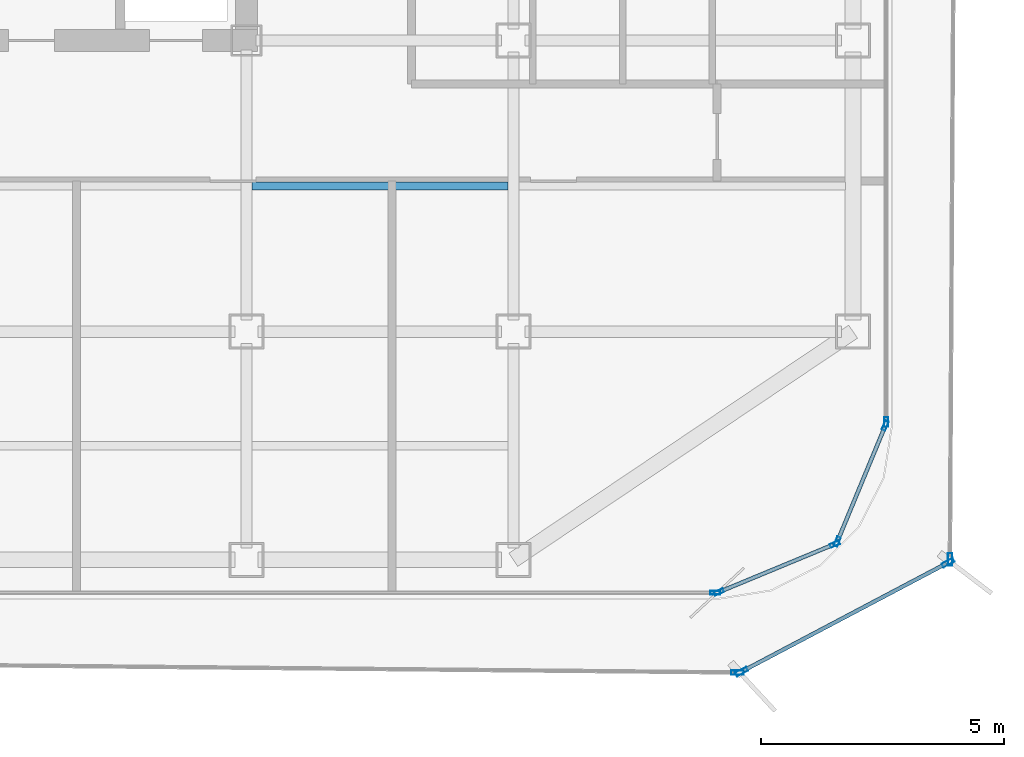
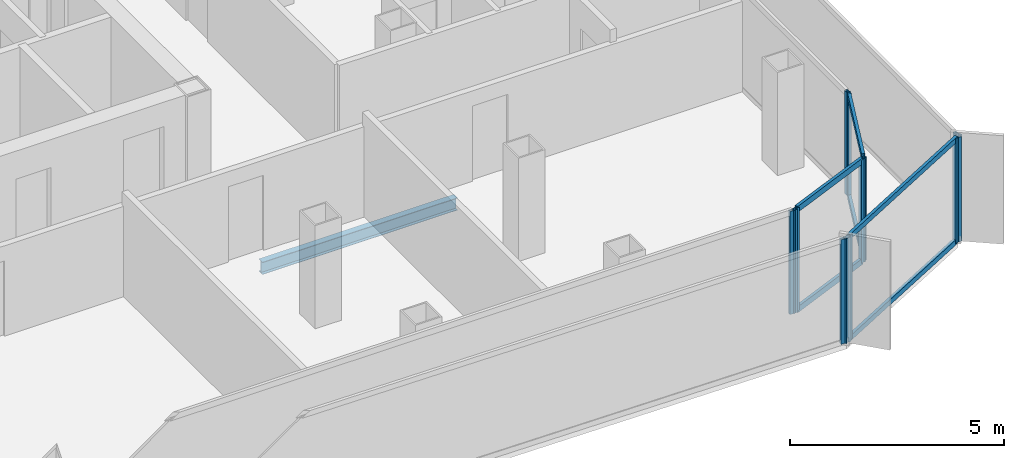
# One storey, part 4 of 15: 16 members, 1 beam, 7 elements without a shape of their own.
"""IFC4 building model written with IfcOpenShell, lengths in metres."""

from ifc_helpers import new_model, si_unit, direction, frame, origin, origin_2d, place, context, subcontext, project, spatial, hollow_rectangle, i_section, extrude, source, transform, mapped, material, layer, layer_set, material_profile, profile_set, type_object, element, aggregate, save


model = new_model("IFC4")

# Units and contexts
model_context = context("Model", 3, precision=1e-05, world=origin(), true_north=direction((0.0, 1.0)))
body_context = subcontext(model_context, "Body", "Model", "MODEL_VIEW")
ifc_project = project(units=[si_unit("LENGTHUNIT", "METRE"), si_unit("AREAUNIT", "SQUARE_METRE"), si_unit("VOLUMEUNIT", "CUBIC_METRE"), si_unit("PLANEANGLEUNIT", "RADIAN"), si_unit("MASSUNIT", "GRAM", prefix="KILO")], contexts=[model_context])

# Site, building, storey
site_placement = place(None, origin())
site = spatial("IfcSite", under=ifc_project, at=site_placement, CompositionType="ELEMENT")
building_placement = place(site_placement, origin())
building = spatial("IfcBuilding", under=site, at=building_placement, Name="Kolveth Station Tower", CompositionType="ELEMENT")
storey_placement = place(building_placement, frame((0.0, 0.0, 196.39990234375)))
storey = spatial("IfcBuildingStorey", under=building, at=storey_placement, Name="L55", CompositionType="ELEMENT", Elevation=196.39990234375)

# Beam
ifc_material_1 = material(Name="Steel S355", Category="steel")
ifc_material_profile_1 = material_profile(ifc_material_1, i_section(OverallWidth=0.1708984375, OverallDepth=0.35205078125, WebThickness=0.0068359375, FlangeThickness=0.009765625, at=origin_2d()), Name="W360x44")
ifc_profile_set_1 = profile_set([ifc_material_profile_1], Name="Steel S355")
beam_type = type_object("IfcBeamType", Name="Beam_J2", PredefinedType="JOIST", material=ifc_profile_set_1)
shared_shape_1 = source(origin(), body_context, "Body", "SweptSolid", [
    extrude(i_section(OverallWidth=0.1708984375, OverallDepth=0.35205078125, WebThickness=0.0068359375, FlangeThickness=0.009765625, at=origin_2d()), origin(), (0.0, 0.0, 1.0), 5.27490234375),
])
beam_placement = place(storey_placement, frame((28.612548828125, 8.5, -0.42578125), z_axis=(1.0, 0.0, 0.0), x_axis=(0.0, 1.0, 0.0)))
element("IfcBeam", 1, at=beam_placement, inside=storey, type_object=beam_type, Name="L55 Secondary Joist JST-L55-5-2", PredefinedType="JOIST", context=body_context, shape_type="MappedRepresentation", body=[
    mapped(shared_shape_1, transform((0.0, 0.0, 0.0), x_axis=(1.0, 0.0, 0.0), y_axis=(0.0, 1.0, 0.0), z_axis=(0.0, 0.0, 1.0), scale=1.0)),
])

# Curtain wall, members
ifc_material_2 = material(Name="Black anodized aluminium 6063-T6 and dark solar glass", Category="aluminium")
ifc_layer_1 = layer(ifc_material_2, 0.159912109375)
ifc_layer_set_1 = layer_set([ifc_layer_1], Name="Black anodized aluminium 6063-T6 and dark solar glass")
curtain_wall_type_1 = type_object("IfcCurtainWallType", Name="OUTER SKIN CW-OS", PredefinedType="NOTDEFINED", material=ifc_layer_set_1)
curtain_wall_1_placement = place(storey_placement, origin())
curtain_wall_1 = element("IfcCurtainWall", 2, at=curtain_wall_1_placement, inside=storey, type_object=curtain_wall_type_1, Name="L55 Outer Ventilated Skin Curtain Wall 1", PredefinedType="NOTDEFINED")
ifc_material_3 = material(Name="Black anodized aluminium 6063-T6", Category="aluminium")
ifc_material_profile_2 = material_profile(ifc_material_3, hollow_rectangle(XDim=0.090087890625, YDim=0.260009765625, WallThickness=0.0048828125, at=origin_2d()), Name="ALU-90x260x5")
ifc_profile_set_2 = profile_set([ifc_material_profile_2], Name="Black anodized aluminium 6063-T6")
member_type_1 = type_object("IfcMemberType", Name="FIN MULLION ML-OS", PredefinedType="MULLION", material=ifc_profile_set_2)
shared_shape_2 = source(origin(), body_context, "Body", "SweptSolid", [
    extrude(hollow_rectangle(XDim=0.090087890625, YDim=0.260009765625, WallThickness=0.0048828125, at=origin_2d()), origin(), (0.0, 0.0, 1.0), 2.989990234375),
])
member_1_placement = place(storey_placement, frame((38.703125, -1.505126953125, 0.0), z_axis=(0.0, 0.0, 1.0), x_axis=(-0.466849019271, 0.88433703598, 0.0)))
member_1 = element("IfcMember", 3, at=member_1_placement, type_object=member_type_1, Name="CW-OS mullion 1", PredefinedType="MULLION", context=body_context, shape_type="MappedRepresentation", body=[
    mapped(shared_shape_2, transform((0.0, 0.0, 0.0), x_axis=(1.0, 0.0, 0.0), y_axis=(0.0, 1.0, 0.0), z_axis=(0.0, 0.0, 1.0), scale=1.0)),
])
member_2_placement = place(storey_placement, frame((42.958984375, 0.74169921875, 0.0), z_axis=(0.0, 0.0, 1.0), x_axis=(-0.466849019271, 0.88433703598, 0.0)))
member_2 = element("IfcMember", 4, at=member_2_placement, type_object=member_type_1, Name="CW-OS mullion 2", PredefinedType="MULLION", context=body_context, shape_type="MappedRepresentation", body=[
    mapped(shared_shape_2, transform((0.0, 0.0, 0.0), x_axis=(1.0, 0.0, 0.0), y_axis=(0.0, 1.0, 0.0), z_axis=(0.0, 0.0, 1.0), scale=1.0)),
])

# Curtain wall, member
curtain_wall_2_placement = place(storey_placement, origin())
curtain_wall_2 = element("IfcCurtainWall", 5, at=curtain_wall_2_placement, inside=storey, type_object=curtain_wall_type_1, Name="L55 Outer Ventilated Skin Curtain Wall 2", PredefinedType="NOTDEFINED")
member_3_placement = place(storey_placement, frame((42.999267578125, 0.8076171875, 0.0), z_axis=(0.0, 0.0, 1.0), x_axis=(-0.999982586968, 0.005901335548, 0.0)))
member_3 = element("IfcMember", 6, at=member_3_placement, type_object=member_type_1, Name="CW-OS mullion 1", PredefinedType="MULLION", context=body_context, shape_type="MappedRepresentation", body=[
    mapped(shared_shape_2, transform((0.0, 0.0, 0.0), x_axis=(1.0, 0.0, 0.0), y_axis=(0.0, 1.0, 0.0), z_axis=(0.0, 0.0, 1.0), scale=1.0)),
])
aggregate(curtain_wall_2, [member_3])

curtain_wall_3_placement = place(storey_placement, origin())
curtain_wall_3 = element("IfcCurtainWall", 7, at=curtain_wall_3_placement, inside=storey, type_object=curtain_wall_type_1, Name="L55 Outer Ventilated Skin Curtain Wall 8", PredefinedType="NOTDEFINED")
member_4_placement = place(storey_placement, frame((38.618408203125, -1.52587890625, 0.0), z_axis=(0.0, 0.0, 1.0), x_axis=(0.009568801259, 0.999954217973, 0.0)))
member_4 = element("IfcMember", 8, at=member_4_placement, type_object=member_type_1, Name="CW-OS mullion 2", PredefinedType="MULLION", context=body_context, shape_type="MappedRepresentation", body=[
    mapped(shared_shape_2, transform((0.0, 0.0, 0.0), x_axis=(1.0, 0.0, 0.0), y_axis=(0.0, 1.0, 0.0), z_axis=(0.0, 0.0, 1.0), scale=1.0)),
])
aggregate(curtain_wall_3, [member_4])

# Curtain wall, members
ifc_material_4 = material(Name="Aluminium 6063-T6 and low-E dark glass", Category="aluminium")
ifc_layer_2 = layer(ifc_material_4, 0.18994140625)
ifc_layer_set_2 = layer_set([ifc_layer_2], Name="Aluminium 6063-T6 and low-E dark glass")
curtain_wall_type_2 = type_object("IfcCurtainWallType", Name="CurtainWall_CW-Z2", PredefinedType="NOTDEFINED", material=ifc_layer_set_2)
curtain_wall_4_placement = place(storey_placement, origin())
curtain_wall_4 = element("IfcCurtainWall", 9, at=curtain_wall_4_placement, inside=storey, type_object=curtain_wall_type_2, Name="L55 Inner Thermal Curtain Wall 1", PredefinedType="NOTDEFINED")
ifc_material_profile_3 = material_profile(ifc_material_3, hollow_rectangle(XDim=0.080078125, YDim=0.199951171875, WallThickness=0.0048828125, at=origin_2d()), Name="ALU-80x200x5")
ifc_profile_set_3 = profile_set([ifc_material_profile_3], Name="Black anodized aluminium 6063-T6")
member_type_2 = type_object("IfcMemberType", Name="Mullion_ML2", PredefinedType="MULLION", material=ifc_profile_set_3)
shared_shape_3 = source(origin(), body_context, "Body", "SweptSolid", [
    extrude(hollow_rectangle(XDim=0.080078125, YDim=0.199951171875, WallThickness=0.0048828125, at=origin_2d()), origin(), (0.0, 0.0, 1.0), 2.9501953125),
])
member_5_placement = place(storey_placement, frame((38.237060546875, 0.13525390625, 0.0), z_axis=(0.0, 0.0, 1.0), x_axis=(-0.382697753087, 0.923873600544, 0.0)))
member_5 = element("IfcMember", 10, at=member_5_placement, type_object=member_type_2, Name="CW-Z2 mullion 1", PredefinedType="MULLION", context=body_context, shape_type="MappedRepresentation", body=[
    mapped(shared_shape_3, transform((0.0, 0.0, 0.0), x_axis=(1.0, 0.0, 0.0), y_axis=(0.0, 1.0, 0.0), z_axis=(0.0, 0.0, 1.0), scale=1.0)),
])
member_6_placement = place(storey_placement, frame((40.623779296875, 1.1240234375, 0.0), z_axis=(0.0, 0.0, 1.0), x_axis=(-0.382697753087, 0.923873600544, 0.0)))
member_6 = element("IfcMember", 11, at=member_6_placement, type_object=member_type_2, Name="CW-Z2 mullion 2", PredefinedType="MULLION", context=body_context, shape_type="MappedRepresentation", body=[
    mapped(shared_shape_3, transform((0.0, 0.0, 0.0), x_axis=(1.0, 0.0, 0.0), y_axis=(0.0, 1.0, 0.0), z_axis=(0.0, 0.0, 1.0), scale=1.0)),
])

curtain_wall_5_placement = place(storey_placement, origin())
curtain_wall_5 = element("IfcCurtainWall", 12, at=curtain_wall_5_placement, inside=storey, type_object=curtain_wall_type_2, Name="L55 Inner Thermal Curtain Wall 2", PredefinedType="NOTDEFINED")
member_7_placement = place(storey_placement, frame((40.676025390625, 1.17626953125, 0.0), z_axis=(0.0, 0.0, 1.0), x_axis=(-0.923873600544, 0.382697753087, 0.0)))
member_7 = element("IfcMember", 13, at=member_7_placement, type_object=member_type_2, Name="CW-Z2 mullion 1", PredefinedType="MULLION", context=body_context, shape_type="MappedRepresentation", body=[
    mapped(shared_shape_3, transform((0.0, 0.0, 0.0), x_axis=(1.0, 0.0, 0.0), y_axis=(0.0, 1.0, 0.0), z_axis=(0.0, 0.0, 1.0), scale=1.0)),
])
member_8_placement = place(storey_placement, frame((41.664794921875, 3.56298828125, 0.0), z_axis=(0.0, 0.0, 1.0), x_axis=(-0.923873600544, 0.382697753087, 0.0)))
member_8 = element("IfcMember", 14, at=member_8_placement, type_object=member_type_2, Name="CW-Z2 mullion 2", PredefinedType="MULLION", context=body_context, shape_type="MappedRepresentation", body=[
    mapped(shared_shape_3, transform((0.0, 0.0, 0.0), x_axis=(1.0, 0.0, 0.0), y_axis=(0.0, 1.0, 0.0), z_axis=(0.0, 0.0, 1.0), scale=1.0)),
])

# Curtain wall, member
curtain_wall_6_placement = place(storey_placement, origin())
curtain_wall_6 = element("IfcCurtainWall", 15, at=curtain_wall_6_placement, inside=storey, type_object=curtain_wall_type_2, Name="L55 Inner Thermal Curtain Wall 3", PredefinedType="NOTDEFINED")
member_9_placement = place(storey_placement, frame((41.679931640625, 3.639892578125, 0.0), z_axis=(0.0, 0.0, 1.0), x_axis=(-1.0, 0.0, 0.0)))
member_9 = element("IfcMember", 16, at=member_9_placement, type_object=member_type_2, Name="CW-Z2 mullion 1", PredefinedType="MULLION", context=body_context, shape_type="MappedRepresentation", body=[
    mapped(shared_shape_3, transform((0.0, 0.0, 0.0), x_axis=(1.0, 0.0, 0.0), y_axis=(0.0, 1.0, 0.0), z_axis=(0.0, 0.0, 1.0), scale=1.0)),
])
aggregate(curtain_wall_6, [member_9])

curtain_wall_7_placement = place(storey_placement, origin())
curtain_wall_7 = element("IfcCurtainWall", 17, at=curtain_wall_7_placement, inside=storey, type_object=curtain_wall_type_2, Name="L55 Inner Thermal Curtain Wall 12", PredefinedType="NOTDEFINED")
member_10_placement = place(storey_placement, frame((38.159912109375, 0.1201171875, 0.0), z_axis=(0.0, 0.0, 1.0), x_axis=(0.0, 1.0, 0.0)))
member_10 = element("IfcMember", 18, at=member_10_placement, type_object=member_type_2, Name="CW-Z2 mullion 2", PredefinedType="MULLION", context=body_context, shape_type="MappedRepresentation", body=[
    mapped(shared_shape_3, transform((0.0, 0.0, 0.0), x_axis=(1.0, 0.0, 0.0), y_axis=(0.0, 1.0, 0.0), z_axis=(0.0, 0.0, 1.0), scale=1.0)),
])
aggregate(curtain_wall_7, [member_10])

# Member
ifc_material_profile_4 = material_profile(ifc_material_3, hollow_rectangle(XDim=0.080078125, YDim=0.169921875, WallThickness=0.0048828125, at=origin_2d()), Name="ALU-80x170x5")
ifc_profile_set_4 = profile_set([ifc_material_profile_4], Name="Black anodized aluminium 6063-T6")
member_type_3 = type_object("IfcMemberType", Name="Transom_TR2", PredefinedType="USERDEFINED", material=ifc_profile_set_4)
shared_shape_4 = source(origin(), body_context, "Body", "SweptSolid", [
    extrude(hollow_rectangle(XDim=0.080078125, YDim=0.169921875, WallThickness=0.0048828125, at=origin_2d()), origin(), (0.0, 0.0, 1.0), 2.50341796875),
])
member_11_placement = place(storey_placement, frame((38.27392578125, 0.150634765625, 0.0400390625), z_axis=(0.923874190494, 0.382696328882, 0.0), x_axis=(-0.382696328882, 0.923874190494, 0.0)))
member_11 = element("IfcMember", 19, at=member_11_placement, type_object=member_type_3, Name="CW-Z2 transom 1.1", ObjectType="TRANSOM", PredefinedType="USERDEFINED", context=body_context, shape_type="MappedRepresentation", body=[
    mapped(shared_shape_4, transform((0.0, 0.0, 0.0), x_axis=(1.0, 0.0, 0.0), y_axis=(0.0, 1.0, 0.0), z_axis=(0.0, 0.0, 1.0), scale=1.0)),
])

member_12_placement = place(storey_placement, frame((38.27392578125, 0.150634765625, 2.91015625), z_axis=(0.923874190494, 0.382696328882, 0.0), x_axis=(-0.382696328882, 0.923874190494, 0.0)))
member_12 = element("IfcMember", 20, at=member_12_placement, type_object=member_type_3, Name="CW-Z2 transom 1.2", ObjectType="TRANSOM", PredefinedType="USERDEFINED", context=body_context, shape_type="MappedRepresentation", body=[
    mapped(shared_shape_4, transform((0.0, 0.0, 0.0), x_axis=(1.0, 0.0, 0.0), y_axis=(0.0, 1.0, 0.0), z_axis=(0.0, 0.0, 1.0), scale=1.0)),
])

aggregate(curtain_wall_4, [member_5, member_6, member_11, member_12])

member_13_placement = place(storey_placement, frame((40.69140625, 1.213134765625, 0.0400390625), z_axis=(0.382661849723, 0.923888472039, 0.0), x_axis=(-0.923888472039, 0.382661849723, 0.0)))
member_13 = element("IfcMember", 21, at=member_13_placement, type_object=member_type_3, Name="CW-Z2 transom 1.1", ObjectType="TRANSOM", PredefinedType="USERDEFINED", context=body_context, shape_type="MappedRepresentation", body=[
    mapped(shared_shape_4, transform((0.0, 0.0, 0.0), x_axis=(1.0, 0.0, 0.0), y_axis=(0.0, 1.0, 0.0), z_axis=(0.0, 0.0, 1.0), scale=1.0)),
])

member_14_placement = place(storey_placement, frame((40.69140625, 1.213134765625, 2.91015625), z_axis=(0.382661849723, 0.923888472039, 0.0), x_axis=(-0.923888472039, 0.382661849723, 0.0)))
member_14 = element("IfcMember", 22, at=member_14_placement, type_object=member_type_3, Name="CW-Z2 transom 1.2", ObjectType="TRANSOM", PredefinedType="USERDEFINED", context=body_context, shape_type="MappedRepresentation", body=[
    mapped(shared_shape_4, transform((0.0, 0.0, 0.0), x_axis=(1.0, 0.0, 0.0), y_axis=(0.0, 1.0, 0.0), z_axis=(0.0, 0.0, 1.0), scale=1.0)),
])

aggregate(curtain_wall_5, [member_7, member_8, member_13, member_14])

ifc_material_profile_5 = material_profile(ifc_material_3, hollow_rectangle(XDim=0.080078125, YDim=0.14990234375, WallThickness=0.0048828125, at=origin_2d()), Name="ALU-80x150x5")
ifc_profile_set_5 = profile_set([ifc_material_profile_5], Name="Black anodized aluminium 6063-T6")
member_type_4 = type_object("IfcMemberType", Name="Transom_TR-OS", PredefinedType="USERDEFINED", material=ifc_profile_set_5)
shared_shape_5 = source(origin(), body_context, "Body", "SweptSolid", [
    extrude(hollow_rectangle(XDim=0.080078125, YDim=0.14990234375, WallThickness=0.0048828125, at=origin_2d()), origin(), (0.0, 0.0, 1.0), 4.72265625),
])
member_15_placement = place(storey_placement, frame((38.742919921875, -1.484130859375, 0.0400390625), z_axis=(0.884324281779, 0.466873178343, 0.0), x_axis=(-0.466873178343, 0.884324281779, 0.0)))
member_15 = element("IfcMember", 23, at=member_15_placement, type_object=member_type_4, Name="CW-OS transom 1.1", ObjectType="TRANSOM", PredefinedType="USERDEFINED", context=body_context, shape_type="MappedRepresentation", body=[
    mapped(shared_shape_5, transform((0.0, 0.0, 0.0), x_axis=(1.0, 0.0, 0.0), y_axis=(0.0, 1.0, 0.0), z_axis=(0.0, 0.0, 1.0), scale=1.0)),
])

member_16_placement = place(storey_placement, frame((38.742919921875, -1.484130859375, 2.9501953125), z_axis=(0.884324281779, 0.466873178343, 0.0), x_axis=(-0.466873178343, 0.884324281779, 0.0)))
member_16 = element("IfcMember", 24, at=member_16_placement, type_object=member_type_4, Name="CW-OS transom 1.2", ObjectType="TRANSOM", PredefinedType="USERDEFINED", context=body_context, shape_type="MappedRepresentation", body=[
    mapped(shared_shape_5, transform((0.0, 0.0, 0.0), x_axis=(1.0, 0.0, 0.0), y_axis=(0.0, 1.0, 0.0), z_axis=(0.0, 0.0, 1.0), scale=1.0)),
])

aggregate(curtain_wall_1, [member_1, member_2, member_15, member_16])

save(model, "model.ifc")
